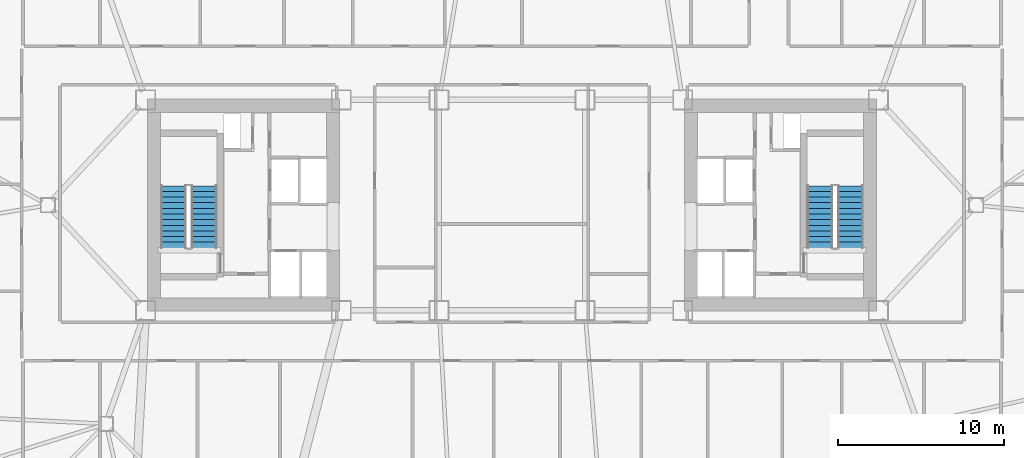
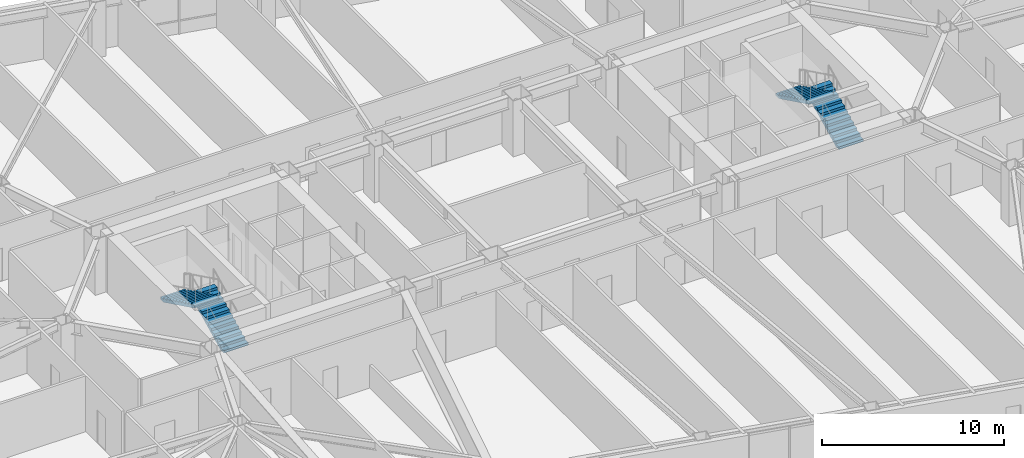
# One storey, part 16 of 21: 4 stair flights, 2 elements without a shape of their own.
"""IFC4 building model written with IfcOpenShell, lengths in metres."""

from ifc_helpers import new_model, si_unit, direction, frame, origin, place, context, subcontext, project, spatial, polyline, outline, extrude, material, type_object, element, aggregate, save


model = new_model("IFC4")

# Units and contexts
model_context = context("Model", 3, precision=1e-05, world=origin(), true_north=direction((0.0, 1.0)))
body_context = subcontext(model_context, "Body", "Model", "MODEL_VIEW")
ifc_project = project(units=[si_unit("LENGTHUNIT", "METRE"), si_unit("AREAUNIT", "SQUARE_METRE"), si_unit("VOLUMEUNIT", "CUBIC_METRE"), si_unit("PLANEANGLEUNIT", "RADIAN"), si_unit("MASSUNIT", "GRAM", prefix="KILO")], contexts=[model_context])

# Site, building, storey
site_placement = place(None, origin())
site = spatial("IfcSite", under=ifc_project, at=site_placement, CompositionType="ELEMENT")
building_placement = place(site_placement, origin())
building = spatial("IfcBuilding", under=site, at=building_placement, Name="Tavrogorsk Clinical Tower", CompositionType="ELEMENT")
storey_placement = place(building_placement, frame((0.0, 0.0, 43.39990234375)))
storey = spatial("IfcBuildingStorey", under=building, at=storey_placement, Name="L08", CompositionType="ELEMENT", Elevation=43.39990234375)

# Stair, stair flights
ifc_material_1 = material(Name="Concrete B60", Category="concrete")
stair_type = type_object("IfcStairType", Name="CoreStairAssembly", PredefinedType="HALF_TURN_STAIR", material=ifc_material_1)
stair_1_placement = place(storey_placement, origin())
stair_1 = element("IfcStair", 1, at=stair_1_placement, inside=storey, type_object=stair_type, Name="L08 ST-W", PredefinedType="HALF_TURN_STAIR")
ifc_material_2 = material(Name="Concrete B60", Category="concrete")
stair_flight_type = type_object("IfcStairFlightType", Name="CoreStairFlight", PredefinedType="STRAIGHT", material=ifc_material_2)
stair_flight_1_placement = place(storey_placement, frame((-18.574951171875, -2.574951171875, 0.0), z_axis=(0.0, 0.0, 1.0), x_axis=(0.0, 1.0, 0.0)))
stair_flight_1 = element("IfcStairFlight", 2, at=stair_flight_1_placement, type_object=stair_flight_type, Name="ST-W flight 1", NumberOfRisers=12, NumberOfTreads=11, PredefinedType="STRAIGHT", RiserHeight=0.166666667, TreadLength=0.34, context=body_context, shape_type="SweptSolid", body=[
    extrude(outline(polyline([(0.0, 0.0), (0.0, 0.166748046875), (0.340087890625, 0.166748046875), (0.340087890625, 0.333251953125), (0.679931640625, 0.333251953125), (0.679931640625, 0.5), (1.02001953125, 0.5), (1.02001953125, 0.666748046875), (1.360107421875, 0.666748046875), (1.360107421875, 0.833251953125), (1.699951171875, 0.833251953125), (1.699951171875, 1.0), (2.0400390625, 1.0), (2.0400390625, 1.166748046875), (2.3798828125, 1.166748046875), (2.3798828125, 1.333251953125), (2.719970703125, 1.333251953125), (2.719970703125, 1.5), (3.06005859375, 1.5), (3.06005859375, 1.666748046875), (3.39990234375, 1.666748046875), (3.39990234375, 1.833251953125), (3.739990234375, 1.833251953125), (3.739990234375, 2.0), (3.739990234375, 1.66650390625), (0.340576171875, 0.0), (0.0, 0.0)])), frame((0.0, 0.77490234375, 0.0), z_axis=(0.0, -1.0, 0.0), x_axis=(1.0, 0.0, 0.0)), (0.0, 0.0, 1.0), 1.550048828125),
])
stair_flight_2_placement = place(storey_placement, frame((-20.425048828125, 1.1650390625, 2.0), z_axis=(0.0, 0.0, 1.0), x_axis=(0.0, -1.0, 0.0)))
stair_flight_2 = element("IfcStairFlight", 3, at=stair_flight_2_placement, type_object=stair_flight_type, Name="ST-W flight 2", NumberOfRisers=12, NumberOfTreads=11, PredefinedType="STRAIGHT", RiserHeight=0.166666667, TreadLength=0.34, context=body_context, shape_type="SweptSolid", body=[
    extrude(outline(polyline([(0.0, 0.0), (0.0, 0.166748046875), (0.340087890625, 0.166748046875), (0.340087890625, 0.333251953125), (0.679931640625, 0.333251953125), (0.679931640625, 0.5), (1.02001953125, 0.5), (1.02001953125, 0.666748046875), (1.360107421875, 0.666748046875), (1.360107421875, 0.833251953125), (1.699951171875, 0.833251953125), (1.699951171875, 1.0), (2.0400390625, 1.0), (2.0400390625, 1.166748046875), (2.3798828125, 1.166748046875), (2.3798828125, 1.333251953125), (2.719970703125, 1.333251953125), (2.719970703125, 1.5), (3.06005859375, 1.5), (3.06005859375, 1.666748046875), (3.39990234375, 1.666748046875), (3.39990234375, 1.833251953125), (3.739990234375, 1.833251953125), (3.739990234375, 2.0), (3.739990234375, 1.66650390625), (0.340576171875, 0.0), (0.0, 0.0)])), frame((0.0, 0.77490234375, 0.0), z_axis=(0.0, -1.0, 0.0), x_axis=(1.0, 0.0, 0.0)), (0.0, 0.0, 1.0), 1.550048828125),
])
aggregate(stair_1, [stair_flight_1, stair_flight_2])

stair_2_placement = place(storey_placement, origin())
stair_2 = element("IfcStair", 4, at=stair_2_placement, inside=storey, type_object=stair_type, Name="L08 ST-E", PredefinedType="HALF_TURN_STAIR")
stair_flight_3_placement = place(storey_placement, frame((20.425048828125, -2.574951171875, 0.0), z_axis=(0.0, 0.0, 1.0), x_axis=(0.0, 1.0, 0.0)))
stair_flight_3 = element("IfcStairFlight", 5, at=stair_flight_3_placement, type_object=stair_flight_type, Name="ST-E flight 1", NumberOfRisers=12, NumberOfTreads=11, PredefinedType="STRAIGHT", RiserHeight=0.166666667, TreadLength=0.34, context=body_context, shape_type="SweptSolid", body=[
    extrude(outline(polyline([(0.0, 0.0), (0.0, 0.166748046875), (0.340087890625, 0.166748046875), (0.340087890625, 0.333251953125), (0.679931640625, 0.333251953125), (0.679931640625, 0.5), (1.02001953125, 0.5), (1.02001953125, 0.666748046875), (1.360107421875, 0.666748046875), (1.360107421875, 0.833251953125), (1.699951171875, 0.833251953125), (1.699951171875, 1.0), (2.0400390625, 1.0), (2.0400390625, 1.166748046875), (2.3798828125, 1.166748046875), (2.3798828125, 1.333251953125), (2.719970703125, 1.333251953125), (2.719970703125, 1.5), (3.06005859375, 1.5), (3.06005859375, 1.666748046875), (3.39990234375, 1.666748046875), (3.39990234375, 1.833251953125), (3.739990234375, 1.833251953125), (3.739990234375, 2.0), (3.739990234375, 1.66650390625), (0.340576171875, 0.0), (0.0, 0.0)])), frame((0.0, 0.77490234375, 0.0), z_axis=(0.0, -1.0, 0.0), x_axis=(1.0, 0.0, 0.0)), (0.0, 0.0, 1.0), 1.550048828125),
])
stair_flight_4_placement = place(storey_placement, frame((18.574951171875, 1.1650390625, 2.0), z_axis=(0.0, 0.0, 1.0), x_axis=(0.0, -1.0, 0.0)))
stair_flight_4 = element("IfcStairFlight", 6, at=stair_flight_4_placement, type_object=stair_flight_type, Name="ST-E flight 2", NumberOfRisers=12, NumberOfTreads=11, PredefinedType="STRAIGHT", RiserHeight=0.166666667, TreadLength=0.34, context=body_context, shape_type="SweptSolid", body=[
    extrude(outline(polyline([(0.0, 0.0), (0.0, 0.166748046875), (0.340087890625, 0.166748046875), (0.340087890625, 0.333251953125), (0.679931640625, 0.333251953125), (0.679931640625, 0.5), (1.02001953125, 0.5), (1.02001953125, 0.666748046875), (1.360107421875, 0.666748046875), (1.360107421875, 0.833251953125), (1.699951171875, 0.833251953125), (1.699951171875, 1.0), (2.0400390625, 1.0), (2.0400390625, 1.166748046875), (2.3798828125, 1.166748046875), (2.3798828125, 1.333251953125), (2.719970703125, 1.333251953125), (2.719970703125, 1.5), (3.06005859375, 1.5), (3.06005859375, 1.666748046875), (3.39990234375, 1.666748046875), (3.39990234375, 1.833251953125), (3.739990234375, 1.833251953125), (3.739990234375, 2.0), (3.739990234375, 1.66650390625), (0.340576171875, 0.0), (0.0, 0.0)])), frame((0.0, 0.77490234375, 0.0), z_axis=(0.0, -1.0, 0.0), x_axis=(1.0, 0.0, 0.0)), (0.0, 0.0, 1.0), 1.550048828125),
])
aggregate(stair_2, [stair_flight_3, stair_flight_4])

save(model, "model.ifc")
